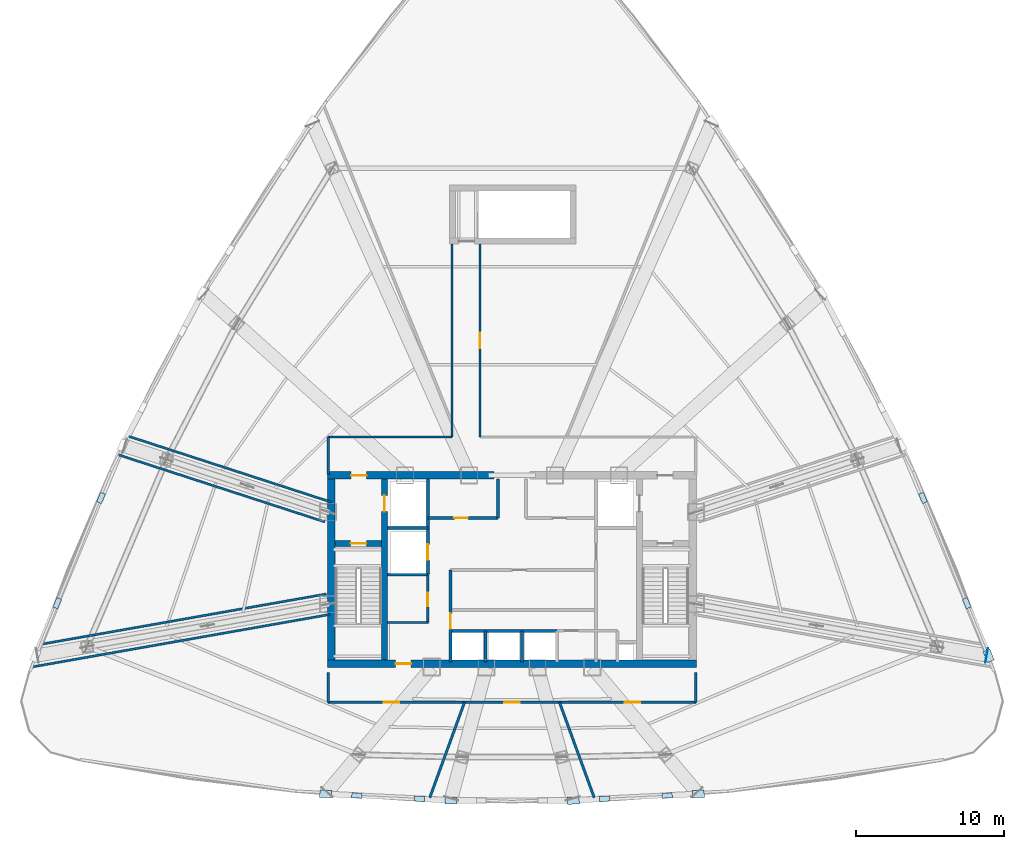
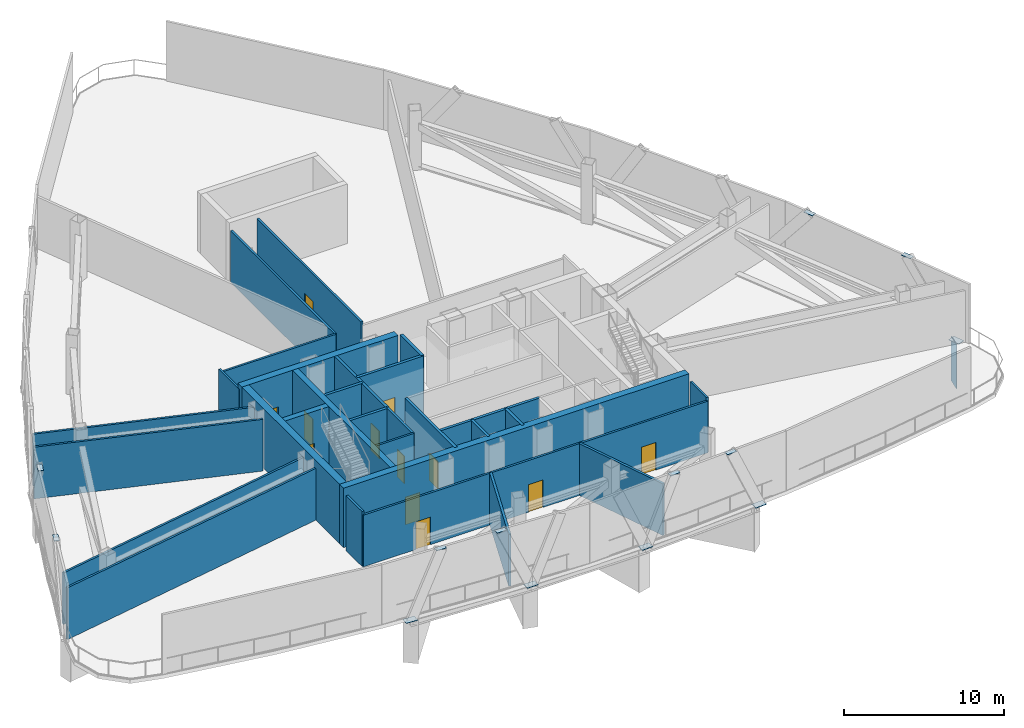
# One storey, part 8 of 13: 29 walls, 14 plates, 12 doors, 12 openings.
"""IFC4 building model written with IfcOpenShell, lengths in metres."""

from ifc_helpers import new_model, si_unit, direction, frame, frame_2d, origin, origin_with_axes, origin_2d, place, context, subcontext, project, spatial, rectangle, extrude, source, transform, mapped, material, layer, layer_set, type_object, element, fill, save


model = new_model("IFC4")

# Units and contexts
model_context = context("Model", 3, precision=1e-05, world=origin(), true_north=direction((0.0, 1.0)))
body_context = subcontext(model_context, "Body", "Model", "MODEL_VIEW")
ifc_project = project(units=[si_unit("LENGTHUNIT", "METRE"), si_unit("AREAUNIT", "SQUARE_METRE"), si_unit("VOLUMEUNIT", "CUBIC_METRE"), si_unit("PLANEANGLEUNIT", "RADIAN"), si_unit("MASSUNIT", "GRAM", prefix="KILO"), si_unit("THERMODYNAMICTEMPERATUREUNIT", "KELVIN"), si_unit("POWERUNIT", "WATT")], contexts=[model_context])

# Site, building, storey
site_placement = place(None, origin())
site = spatial("IfcSite", under=ifc_project, at=site_placement, CompositionType="ELEMENT")
building_placement = place(site_placement, origin())
building = spatial("IfcBuilding", under=site, at=building_placement, Name="Yunzhuo Pagoda Commons", CompositionType="ELEMENT")
storey_placement = place(building_placement, frame((0.0, 0.0, 272.760009765625)))
storey = spatial("IfcBuildingStorey", under=building, at=storey_placement, Name="L68", CompositionType="ELEMENT", Elevation=272.760009765625)

# Plates
ifc_material_1 = material(Name="Structural steel Q420B", Category="steel")
ifc_layer_1 = layer(ifc_material_1, 0.0400390625)
ifc_layer_set_1 = layer_set([ifc_layer_1], Name="Structural steel Q420B")
plate_type_1 = type_object("IfcPlateType", Name="EP-TR2 Transfer Girder End Cap Plate 980x3540x40", PredefinedType="USERDEFINED", material=ifc_layer_set_1)
shared_shape_1 = source(origin(), body_context, "Body", "SweptSolid", [
    extrude(rectangle(XDim=0.97998046875, YDim=0.0400390625, at=origin_2d()), origin(), (0.0, 0.0, 1.0), 3.389892578125),
])
plate_placement = place(storey_placement, frame((80.01513671875, 28.054931640625, -3.64990234375), z_axis=(0.0, 0.0, 1.0), x_axis=(0.173648177667, 0.984807753012, 0.0)))
element("IfcPlate", 1, at=plate_placement, inside=storey, type_object=plate_type_1, Name="L68 transfer girder end cap plate F2C1", ObjectType="END_PLATE", PredefinedType="USERDEFINED", context=body_context, shape_type="MappedRepresentation", body=[
    mapped(shared_shape_1, transform((0.0, 0.0, 0.0), scale=1.0)),
])
ifc_material_2 = material(Name="Structural steel Q355B", Category="steel")
ifc_layer_2 = layer(ifc_material_2, 0.028076171875)
ifc_layer_set_2 = layer_set([ifc_layer_2], Name="Structural steel Q355B")
plate_type_2 = type_object("IfcPlateType", Name="SP-ND1 Lattice Node Cap Plate 800x500x28", PredefinedType="USERDEFINED", material=ifc_layer_set_2)
shared_shape_2 = source(origin(), body_context, "Body", "SweptSolid", [
    extrude(rectangle(XDim=0.800048828125, YDim=0.5, at=origin_2d()), origin(), (0.0, 0.0, 1.0), 0.028076171875),
])
for number, where, z_axis, x_axis, name in (
    (2, (35.431396484375, 18.72119140625, -0.2939453125), (0.0, 0.0, 1.0), (0.998603839336, -0.052823972429, 0.0), "L68 diamond node plate F1.1A"),
    (3, (43.866943359375, 18.275146484375, -0.2939453125), (0.0, 0.0, 1.0), (1.0, 0.0, 0.0), "L68 diamond node plate F1.2A"),
    (4, (52.133056640625, 18.275146484375, -0.2939453125), (0.0, 0.0, 1.0), (0.998603839336, 0.052823972429, 0.0), "L68 diamond node plate F1.3A"),
    (5, (60.568603515625, 18.72119140625, -0.2939453125), (0.0, 0.0, 1.0), (0.998603839336, 0.052823972429, 0.0), "L68 diamond node plate F1.3B"),
    (6, (80.150146484375, 28.031005859375, -0.2939453125), (0.0, 0.0, 1.0), (-0.383860227441, 0.923391209504, 0.0), "L68 diamond node plate F2.1A"),
):
    element("IfcPlate", number, at=place(storey_placement, frame(where, z_axis=z_axis, x_axis=x_axis)), inside=storey, type_object=plate_type_2, Name=name, ObjectType="STIFFENER_PLATE", PredefinedType="USERDEFINED", context=body_context, shape_type="MappedRepresentation", body=[
        mapped(shared_shape_2, transform((0.0, 0.0, 0.0), scale=1.0)),
    ])
shared_shape_3 = source(origin(), body_context, "Body", "SweptSolid", [
    extrude(rectangle(XDim=0.699951171875, YDim=0.35009765625, at=origin_2d()), origin(), (0.0, 0.0, 1.0), 0.035888671875),
])
for number, where, z_axis, x_axis, name in (
    (7, (37.540283203125, 18.609619140625, 4.501953125), (0.0, 0.0, 1.0), (0.998603839336, -0.052823972429, 0.0), "L68 setback lattice tie plate F1.1L"),
    (8, (41.758056640625, 18.38671875, 4.501953125), (0.0, 0.0, 1.0), (0.998603839336, -0.052823972429, 0.0), "L68 setback lattice tie plate F1.1R"),
    (9, (54.241943359375, 18.38671875, 4.501953125), (0.0, 0.0, 1.0), (0.998603839336, 0.052823972429, 0.0), "L68 setback lattice tie plate F1.3L"),
    (10, (58.459716796875, 18.609619140625, 4.501953125), (0.0, 0.0, 1.0), (0.998603839336, 0.052823972429, 0.0), "L68 setback lattice tie plate F1.3R"),
    (11, (78.6748046875, 31.58056640625, 4.501953125), (0.0, 0.0, 1.0), (-0.383860227441, 0.923391209504, 0.0), "L68 setback lattice tie plate F2.1L"),
    (12, (75.723876953125, 38.67919921875, 4.501953125), (0.0, 0.0, 1.0), (-0.383860227441, 0.923391209504, 0.0), "L68 setback lattice tie plate F2.1R"),
    (13, (20.276123046875, 38.67919921875, 4.501953125), (0.0, 0.0, 1.0), (-0.383860227441, -0.923391209504, 0.0), "L68 setback lattice tie plate F3.3L"),
    (14, (17.3251953125, 31.58056640625, 4.501953125), (0.0, 0.0, 1.0), (-0.383860227441, -0.923391209504, 0.0), "L68 setback lattice tie plate F3.3R"),
):
    element("IfcPlate", number, at=place(storey_placement, frame(where, z_axis=z_axis, x_axis=x_axis)), inside=storey, type_object=plate_type_2, Name=name, ObjectType="STIFFENER_PLATE", PredefinedType="USERDEFINED", context=body_context, shape_type="MappedRepresentation", body=[
        mapped(shared_shape_3, transform((0.0, 0.0, 0.0), scale=1.0)),
    ])

# Wall, opening, door
ifc_material_3 = material(Name="Concrete C50", Category="concrete")
ifc_layer_3 = layer(ifc_material_3, 0.5)
ifc_layer_set_3 = layer_set([ifc_layer_3], Name="Concrete C50")
wall_type_1 = type_object("IfcWallType", Name="W-C03 Upper Core Shear Wall 500", PredefinedType="SHEAR", material=ifc_layer_set_3)
wall_1_placement = place(storey_placement, frame((35.550048828125, 27.5, 0.0), z_axis=(0.0, 0.0, 1.0), x_axis=(1.0, 0.0, 0.0)))
wall_1 = element("IfcWall", 15, at=wall_1_placement, inside=storey, type_object=wall_type_1, Name="L68 core shear wall S", PredefinedType="SHEAR", context=body_context, shape_type="SweptSolid", body=[
    extrude(rectangle(XDim=24.89990234375, YDim=0.5, at=frame_2d((12.449951171875, 0.0))), origin(), (0.0, 0.0, 1.0), 4.5400390625),
])
opening_1_placement = place(wall_1_placement, frame((4.60009765625, 0.0, 0.0)))
opening_1 = element("IfcOpeningElement", 16, at=opening_1_placement, cuts=wall_1, Name="Opening D-02", PredefinedType="OPENING", context=body_context, shape_type="SweptSolid", body=[
    extrude(rectangle(XDim=1.050048828125, YDim=2.10009765625, at=frame_2d((0.52490234375, 1.050048828125))), frame((0.0, 0.260009765625, 0.0), z_axis=(0.0, -1.0, 0.0), x_axis=(1.0, 0.0, 0.0)), (0.0, 0.0, 1.0), 0.52001953125),
])
ifc_material_4 = material(Name="Galvanized fire-resisting metal leaf")
door_type_1 = type_object("IfcDoorType", Name="D-02 Firefighting Lobby & Refuge Fire Door 1050x2100", OperationType="NOTDEFINED", PredefinedType="DOOR", material=ifc_material_4)
shared_shape_4 = source(origin(), body_context, "Body", "SweptSolid", [
    extrude(rectangle(XDim=1.050048828125, YDim=2.10009765625, at=frame_2d((0.52490234375, 1.050048828125))), frame((0.0, 0.02490234375, 0.0), z_axis=(0.0, -1.0, 0.0), x_axis=(1.0, 0.0, 0.0)), (0.0, 0.0, 1.0), 0.050048828125),
])
door_1_placement = place(opening_1_placement, frame((1.050048828125, 0.0, 0.0), z_axis=(0.0, 0.0, 1.0), x_axis=(-1.0, 0.0, 0.0)))
door_1 = element("IfcDoor", 17, at=door_1_placement, inside=storey, type_object=door_type_1, Name="L68 core south refuge lobby fire door", OperationType="SINGLE_SWING_LEFT", OverallHeight=2.10009765625, OverallWidth=1.050048828125, PredefinedType="DOOR", context=body_context, shape_type="MappedRepresentation", body=[
    mapped(shared_shape_4, transform((0.0, 0.0, 0.0), scale=1.0)),
])
fill(opening_1, door_1)

wall_2_placement = place(storey_placement, frame((35.550048828125, 40.199951171875, 0.0), z_axis=(0.0, 0.0, 1.0), x_axis=(1.0, 0.0, 0.0)))
wall_2 = element("IfcWall", 18, at=wall_2_placement, inside=storey, type_object=wall_type_1, Name="L68 core shear wall NW", PredefinedType="SHEAR", context=body_context, shape_type="SweptSolid", body=[
    extrude(rectangle(XDim=11.25, YDim=0.5, at=frame_2d((5.625, 0.0))), origin(), (0.0, 0.0, 1.0), 4.5400390625),
])
opening_2_placement = place(wall_2_placement, frame((1.60009765625, 0.0, 0.0)))
opening_2 = element("IfcOpeningElement", 19, at=opening_2_placement, cuts=wall_2, Name="Opening D-02", PredefinedType="OPENING", context=body_context, shape_type="SweptSolid", body=[
    extrude(rectangle(XDim=1.050048828125, YDim=2.10009765625, at=frame_2d((0.52490234375, 1.050048828125))), frame((0.0, 0.260009765625, 0.0), z_axis=(0.0, -1.0, 0.0), x_axis=(1.0, 0.0, 0.0)), (0.0, 0.0, 1.0), 0.52001953125),
])
door_2_placement = place(opening_2_placement, frame((1.050048828125, 0.0, 0.0), z_axis=(0.0, 0.0, 1.0), x_axis=(-1.0, 0.0, 0.0)))
door_2 = element("IfcDoor", 20, at=door_2_placement, inside=storey, type_object=door_type_1, Name="L68 Firefighting Lobby 1 fire door", OperationType="SINGLE_SWING_LEFT", OverallHeight=2.10009765625, OverallWidth=1.050048828125, PredefinedType="DOOR", context=body_context, shape_type="MappedRepresentation", body=[
    mapped(shared_shape_4, transform((0.0, 0.0, 0.0), scale=1.0)),
])
fill(opening_2, door_2)

# Walls
wall_3_placement = place(storey_placement, frame((35.800048828125, 27.75, 0.0), z_axis=(0.0, 0.0, 1.0), x_axis=(0.0, 1.0, 0.0)))
element("IfcWall", 21, at=wall_3_placement, inside=storey, type_object=wall_type_1, Name="L68 core shear wall W", PredefinedType="SHEAR", context=body_context, shape_type="SweptSolid", body=[
    extrude(rectangle(XDim=12.199951171875, YDim=0.5, at=frame_2d((6.10009765625, 0.0))), origin(), (0.0, 0.0, 1.0), 4.5400390625),
])
ifc_material_5 = material(Name="Gypsum plasterboard on acoustic stud")
ifc_layer_4 = layer(ifc_material_5, 0.14990234375)
ifc_layer_set_4 = layer_set([ifc_layer_4], Name="Gypsum plasterboard on acoustic stud")
wall_type_2 = type_object("IfcWallType", Name="W-COR3 High-Zone Rated Corridor Wall 150", PredefinedType="PARTITIONING", material=ifc_layer_set_4)
wall_4_placement = place(storey_placement, frame((39.60009765625, 30.280029296875, 0.0), z_axis=(0.0, 0.0, 1.0), x_axis=(1.0, 0.0, 0.0)))
element("IfcWall", 22, at=wall_4_placement, inside=storey, type_object=wall_type_2, Name="L68 interior wall IW-L68-LLOBSN", PredefinedType="PARTITIONING", context=body_context, shape_type="SweptSolid", body=[
    extrude(rectangle(XDim=2.719970703125, YDim=0.14990234375, at=frame_2d((1.35986328125, 0.0))), origin(), (0.0, 0.0, 1.0), 4.5400390625),
])

# Wall, opening, door
wall_5_placement = place(storey_placement, frame((42.320068359375, 30.280029296875, 0.0), z_axis=(0.0, 0.0, 1.0), x_axis=(0.0, 1.0, 0.0)))
wall_5 = element("IfcWall", 23, at=wall_5_placement, inside=storey, type_object=wall_type_2, Name="L68 interior wall IW-L68-CSWE", PredefinedType="PARTITIONING", context=body_context, shape_type="SweptSolid", body=[
    extrude(rectangle(XDim=3.219970703125, YDim=0.14990234375, at=frame_2d((1.60986328125, 0.0))), origin(), (0.0, 0.0, 1.0), 4.5400390625),
])
opening_3_placement = place(wall_5_placement, frame((1.10009765625, 0.0, 0.0)))
opening_3 = element("IfcOpeningElement", 24, at=opening_3_placement, cuts=wall_5, Name="Opening D-03", PredefinedType="OPENING", context=body_context, shape_type="SweptSolid", body=[
    extrude(rectangle(XDim=0.89990234375, YDim=2.10009765625, at=frame_2d((0.449951171875, 1.050048828125))), frame((0.0, 0.0849609375, 0.0), z_axis=(0.0, -1.0, 0.0), x_axis=(1.0, 0.0, 0.0)), (0.0, 0.0, 1.0), 0.169921875),
])
door_type_2 = type_object("IfcDoorType", Name="D-03 Core Service Fire Door 900x2100", OperationType="NOTDEFINED", PredefinedType="DOOR", material=ifc_material_4)
shared_shape_5 = source(origin(), body_context, "Body", "SweptSolid", [
    extrude(rectangle(XDim=0.89990234375, YDim=2.10009765625, at=frame_2d((0.449951171875, 1.050048828125))), frame((0.0, 0.02490234375, 0.0), z_axis=(0.0, -1.0, 0.0), x_axis=(1.0, 0.0, 0.0)), (0.0, 0.0, 1.0), 0.050048828125),
])
door_3_placement = place(opening_3_placement, origin_with_axes())
door_3 = element("IfcDoor", 25, at=door_3_placement, inside=storey, type_object=door_type_2, Name="L68 core closet door", OperationType="SINGLE_SWING_LEFT", OverallHeight=2.10009765625, OverallWidth=0.89990234375, PredefinedType="DOOR", context=body_context, shape_type="MappedRepresentation", body=[
    mapped(shared_shape_5, transform((0.0, 0.0, 0.0), scale=1.0)),
])
fill(opening_3, door_3)

# Walls
wall_6_placement = place(storey_placement, frame((35.81640625, 38.394775390625, 0.0), z_axis=(0.0, 0.0, 1.0), x_axis=(-0.951057405092, 0.309014258927, 0.0)))
element("IfcWall", 26, at=wall_6_placement, inside=storey, type_object=wall_type_2, Name="L68 interior wall IW-L68-OTW05", PredefinedType="PARTITIONING", context=body_context, shape_type="SweptSolid", body=[
    extrude(rectangle(XDim=14.375244140625, YDim=0.14990234375, at=frame_2d((7.1875, 0.0))), origin(), (0.0, 0.0, 1.0), 3.93994140625),
])
wall_7_placement = place(storey_placement, frame((35.3837890625, 37.063232421875, 0.0), z_axis=(0.0, 0.0, 1.0), x_axis=(-0.951059119768, 0.309008981593, 0.0)))
element("IfcWall", 27, at=wall_7_placement, inside=storey, type_object=wall_type_2, Name="L68 interior wall IW-L68-OTW06", PredefinedType="PARTITIONING", context=body_context, shape_type="SweptSolid", body=[
    extrude(rectangle(XDim=14.6083984375, YDim=0.14990234375, at=frame_2d((7.30419921875, 0.0))), origin(), (0.0, 0.0, 1.0), 3.93994140625),
])
wall_8_placement = place(storey_placement, frame((35.478515625, 32.202880859375, 0.0), z_axis=(0.0, 0.0, 1.0), x_axis=(-0.984807439985, -0.173649952923, 0.0)))
element("IfcWall", 28, at=wall_8_placement, inside=storey, type_object=wall_type_2, Name="L68 interior wall IW-L68-OTW07", PredefinedType="PARTITIONING", context=body_context, shape_type="SweptSolid", body=[
    extrude(rectangle(XDim=19.546630859375, YDim=0.14990234375, at=frame_2d((9.7734375, 0.0))), origin(), (0.0, 0.0, 1.0), 3.93994140625),
])
wall_9_placement = place(storey_placement, frame((35.7216796875, 30.82421875, 0.0), z_axis=(0.0, 0.0, 1.0), x_axis=(-0.984809067339, -0.173640723585, 0.0)))
element("IfcWall", 29, at=wall_9_placement, inside=storey, type_object=wall_type_2, Name="L68 interior wall IW-L68-OTW08", PredefinedType="PARTITIONING", context=body_context, shape_type="SweptSolid", body=[
    extrude(rectangle(XDim=20.41796875, YDim=0.14990234375, at=frame_2d((10.208984375, 0.0))), origin(), (0.0, 0.0, 1.0), 3.93994140625),
])
wall_10_placement = place(storey_placement, frame((35.60009765625, 40.25, 0.0), z_axis=(0.0, 0.0, 1.0), x_axis=(0.0, 1.0, 0.0)))
element("IfcWall", 30, at=wall_10_placement, inside=storey, type_object=wall_type_2, Name="L68 interior wall IW-L68-SCW01", PredefinedType="PARTITIONING", context=body_context, shape_type="SweptSolid", body=[
    extrude(rectangle(XDim=2.550048828125, YDim=0.14990234375, at=frame_2d((1.27490234375, 0.0))), origin(), (0.0, 0.0, 1.0), 4.18994140625),
])
wall_11_placement = place(storey_placement, frame((35.60009765625, 42.800048828125, 0.0), z_axis=(0.0, 0.0, 1.0), x_axis=(1.0, 0.0, 0.0)))
element("IfcWall", 31, at=wall_11_placement, inside=storey, type_object=wall_type_2, Name="L68 interior wall IW-L68-SCW02", PredefinedType="PARTITIONING", context=body_context, shape_type="SweptSolid", body=[
    extrude(rectangle(XDim=8.349853515625, YDim=0.14990234375, at=frame_2d((4.1748046875, 0.0))), origin(), (0.0, 0.0, 1.0), 3.93994140625),
])
wall_12_placement = place(storey_placement, frame((43.949951171875, 42.800048828125, 0.0), z_axis=(0.0, 0.0, 1.0), x_axis=(0.0, 1.0, 0.0)))
element("IfcWall", 32, at=wall_12_placement, inside=storey, type_object=wall_type_2, Name="L68 interior wall IW-L68-SCW03", PredefinedType="PARTITIONING", context=body_context, shape_type="SweptSolid", body=[
    extrude(rectangle(XDim=13.0, YDim=0.14990234375, at=frame_2d((6.5, 0.0))), origin(), (0.0, 0.0, 1.0), 3.93994140625),
])

# Wall, opening, door
wall_13_placement = place(storey_placement, frame((45.85009765625, 55.800048828125, 0.0), z_axis=(0.0, 0.0, 1.0), x_axis=(0.0, -1.0, 0.0)))
wall_13 = element("IfcWall", 33, at=wall_13_placement, inside=storey, type_object=wall_type_2, Name="L68 interior wall IW-L68-SCW04", PredefinedType="PARTITIONING", context=body_context, shape_type="SweptSolid", body=[
    extrude(rectangle(XDim=13.0, YDim=0.14990234375, at=frame_2d((6.5, 0.0))), origin(), (0.0, 0.0, 1.0), 4.18994140625),
])
opening_4_placement = place(wall_13_placement, frame((5.97509765625, 0.0, 0.0)))
opening_4 = element("IfcOpeningElement", 34, at=opening_4_placement, cuts=wall_13, Name="Opening D-02", PredefinedType="OPENING", context=body_context, shape_type="SweptSolid", body=[
    extrude(rectangle(XDim=1.050048828125, YDim=2.10009765625, at=frame_2d((0.52490234375, 1.050048828125))), frame((0.0, 0.0849609375, 0.0), z_axis=(0.0, -1.0, 0.0), x_axis=(1.0, 0.0, 0.0)), (0.0, 0.0, 1.0), 0.169921875),
])
door_4_placement = place(opening_4_placement, origin_with_axes())
door_4 = element("IfcDoor", 35, at=door_4_placement, inside=storey, type_object=door_type_1, Name="L68 North Refuge Area door", OperationType="SINGLE_SWING_RIGHT", OverallHeight=2.10009765625, OverallWidth=1.050048828125, PredefinedType="DOOR", context=body_context, shape_type="MappedRepresentation", body=[
    mapped(shared_shape_4, transform((0.0, 0.0, 0.0), scale=1.0)),
])
fill(opening_4, door_4)

# Wall
wall_14_placement = place(storey_placement, frame((60.39990234375, 26.89990234375, 0.0), z_axis=(0.0, 0.0, 1.0), x_axis=(0.0, -1.0, 0.0)))
element("IfcWall", 36, at=wall_14_placement, inside=storey, type_object=wall_type_2, Name="L68 interior wall IW-L68-SCW07", PredefinedType="PARTITIONING", context=body_context, shape_type="SweptSolid", body=[
    extrude(rectangle(XDim=2.0, YDim=0.14990234375, at=frame_2d((1.0, 0.0))), origin(), (0.0, 0.0, 1.0), 4.18994140625),
])

# Wall, openings, doors
wall_15_placement = place(storey_placement, frame((60.39990234375, 24.89990234375, 0.0), z_axis=(0.0, 0.0, 1.0), x_axis=(-1.0, 0.0, 0.0)))
wall_15 = element("IfcWall", 37, at=wall_15_placement, inside=storey, type_object=wall_type_2, Name="L68 interior wall IW-L68-SCW08", PredefinedType="PARTITIONING", context=body_context, shape_type="SweptSolid", body=[
    extrude(rectangle(XDim=24.7998046875, YDim=0.14990234375, at=frame_2d((12.39990234375, 0.0))), origin(), (0.0, 0.0, 1.0), 3.93994140625),
])
opening_5_placement = place(wall_15_placement, frame((3.74853515625, 0.0, 0.0)))
opening_5 = element("IfcOpeningElement", 38, at=opening_5_placement, cuts=wall_15, Name="Opening D-02", PredefinedType="OPENING", context=body_context, shape_type="SweptSolid", body=[
    extrude(rectangle(XDim=1.050048828125, YDim=2.10009765625, at=frame_2d((0.52490234375, 1.050048828125))), frame((0.0, 0.0849609375, 0.0), z_axis=(0.0, -1.0, 0.0), x_axis=(1.0, 0.0, 0.0)), (0.0, 0.0, 1.0), 0.169921875),
])
opening_6_placement = place(wall_15_placement, frame((20.00146484375, 0.0, 0.0)))
opening_6 = element("IfcOpeningElement", 39, at=opening_6_placement, cuts=wall_15, Name="Opening D-02", PredefinedType="OPENING", context=body_context, shape_type="SweptSolid", body=[
    extrude(rectangle(XDim=1.050048828125, YDim=2.10009765625, at=frame_2d((0.52490234375, 1.050048828125))), frame((0.0, 0.0849609375, 0.0), z_axis=(0.0, -1.0, 0.0), x_axis=(1.0, 0.0, 0.0)), (0.0, 0.0, 1.0), 0.169921875),
])
opening_7_placement = place(wall_15_placement, frame((11.875, 0.0, 0.0)))
opening_7 = element("IfcOpeningElement", 40, at=opening_7_placement, cuts=wall_15, Name="Opening D-02", PredefinedType="OPENING", context=body_context, shape_type="SweptSolid", body=[
    extrude(rectangle(XDim=1.050048828125, YDim=2.10009765625, at=frame_2d((0.52490234375, 1.050048828125))), frame((0.0, 0.0849609375, 0.0), z_axis=(0.0, -1.0, 0.0), x_axis=(1.0, 0.0, 0.0)), (0.0, 0.0, 1.0), 0.169921875),
])
door_5_placement = place(opening_5_placement, origin_with_axes())
door_5 = element("IfcDoor", 41, at=door_5_placement, inside=storey, type_object=door_type_1, Name="L68 Water Break Tank Plant Room door", OperationType="SINGLE_SWING_LEFT", OverallHeight=2.10009765625, OverallWidth=1.050048828125, PredefinedType="DOOR", context=body_context, shape_type="MappedRepresentation", body=[
    mapped(shared_shape_4, transform((0.0, 0.0, 0.0), scale=1.0)),
])
fill(opening_5, door_5)
door_6_placement = place(opening_6_placement, origin_with_axes())
door_6 = element("IfcDoor", 42, at=door_6_placement, inside=storey, type_object=door_type_1, Name="L68 Air Handling Plant Room door", OperationType="SINGLE_SWING_LEFT", OverallHeight=2.10009765625, OverallWidth=1.050048828125, PredefinedType="DOOR", context=body_context, shape_type="MappedRepresentation", body=[
    mapped(shared_shape_4, transform((0.0, 0.0, 0.0), scale=1.0)),
])
fill(opening_6, door_6)
door_7_placement = place(opening_7_placement, origin_with_axes())
door_7 = element("IfcDoor", 43, at=door_7_placement, inside=storey, type_object=door_type_1, Name="L68 South Refuge Area door", OperationType="SINGLE_SWING_RIGHT", OverallHeight=2.10009765625, OverallWidth=1.050048828125, PredefinedType="DOOR", context=body_context, shape_type="MappedRepresentation", body=[
    mapped(shared_shape_4, transform((0.0, 0.0, 0.0), scale=1.0)),
])
fill(opening_7, door_7)

# Walls
wall_16_placement = place(storey_placement, frame((35.60009765625, 24.89990234375, 0.0), z_axis=(0.0, 0.0, 1.0), x_axis=(0.0, 1.0, 0.0)))
element("IfcWall", 44, at=wall_16_placement, inside=storey, type_object=wall_type_2, Name="L68 interior wall IW-L68-SCW09", PredefinedType="PARTITIONING", context=body_context, shape_type="SweptSolid", body=[
    extrude(rectangle(XDim=2.0, YDim=0.14990234375, at=frame_2d((1.0, 0.0))), origin(), (0.0, 0.0, 1.0), 4.18994140625),
])
ifc_layer_5 = layer(ifc_material_5, 0.169921875)
ifc_layer_set_5 = layer_set([ifc_layer_5], Name="Gypsum plasterboard on acoustic stud")
wall_type_3 = type_object("IfcWallType", Name="W-PRT4 High-Zone Demising Wall 170", PredefinedType="PARTITIONING", material=ifc_layer_set_5)
for number, where, z_axis, x_axis, name in (
    (45, (44.797119140625, 24.89990234375, 0.0), (0.0, 0.0, 1.0), (-0.342023678926, -0.939691333925, 0.0), "L68 interior wall IW-L68-SRAD3"),
    (46, (51.202880859375, 24.89990234375, 0.0), (0.0, 0.0, 1.0), (0.342023678926, -0.939691333925, 0.0), "L68 interior wall IW-L68-SRAD4"),
):
    element("IfcWall", number, at=place(storey_placement, frame(where, z_axis=z_axis, x_axis=x_axis)), inside=storey, type_object=wall_type_3, Name=name, PredefinedType="PARTITIONING", context=body_context, shape_type="SweptSolid", body=[
        extrude(rectangle(XDim=6.845458984375, YDim=0.169921875, at=frame_2d((3.4228515625, 0.0))), origin(), (0.0, 0.0, 1.0), 3.93994140625),
    ])

# Wall, opening, door
ifc_material_6 = material(Name="Concrete C60", Category="concrete")
ifc_layer_6 = layer(ifc_material_6, 0.39990234375)
ifc_layer_set_6 = layer_set([ifc_layer_6], Name="Concrete C60")
wall_type_4 = type_object("IfcWallType", Name="W-S01 Internal Core Shear Web 400", PredefinedType="SHEAR", material=ifc_layer_set_6)
wall_17_placement = place(storey_placement, frame((39.39990234375, 27.75, 0.0), z_axis=(0.0, 0.0, 1.0), x_axis=(0.0, 1.0, 0.0)))
wall_17 = element("IfcWall", 47, at=wall_17_placement, inside=storey, type_object=wall_type_4, Name="L68 core shear wall WEBW", PredefinedType="SHEAR", context=body_context, shape_type="SweptSolid", body=[
    extrude(rectangle(XDim=12.199951171875, YDim=0.39990234375, at=frame_2d((6.10009765625, 0.0))), origin(), (0.0, 0.0, 1.0), 4.5400390625),
])
opening_8_placement = place(wall_17_placement, frame((10.0, 0.0, 0.0)))
opening_8 = element("IfcOpeningElement", 48, at=opening_8_placement, cuts=wall_17, Name="Opening LD-01", PredefinedType="OPENING", context=body_context, shape_type="SweptSolid", body=[
    extrude(rectangle(XDim=1.10009765625, YDim=2.10009765625, at=frame_2d((0.550048828125, 1.050048828125))), frame((0.0, 0.2099609375, 0.0), z_axis=(0.0, -1.0, 0.0), x_axis=(1.0, 0.0, 0.0)), (0.0, 0.0, 1.0), 0.419921875),
])
door_type_3 = type_object("IfcDoorType", Name="LD-01 Firefighting Lift Landing Door 1100x2100", OperationType="DOUBLE_DOOR_SLIDING", PredefinedType="DOOR", material=ifc_material_4)
shared_shape_6 = source(origin(), body_context, "Body", "SweptSolid", [
    extrude(rectangle(XDim=1.10009765625, YDim=2.10009765625, at=frame_2d((0.550048828125, 1.050048828125))), frame((0.0, 0.02490234375, 0.0), z_axis=(0.0, -1.0, 0.0), x_axis=(1.0, 0.0, 0.0)), (0.0, 0.0, 1.0), 0.050048828125),
])
door_8_placement = place(opening_8_placement, frame((1.10009765625, 0.0, 0.0), z_axis=(0.0, 0.0, 1.0), x_axis=(-1.0, 0.0, 0.0)))
door_8 = element("IfcDoor", 49, at=door_8_placement, inside=storey, type_object=door_type_3, Name="L68 Firefighting lift FL-1 landing door", OperationType="DOUBLE_DOOR_SLIDING", OverallHeight=2.10009765625, OverallWidth=1.10009765625, PredefinedType="DOOR", context=body_context, shape_type="MappedRepresentation", body=[
    mapped(shared_shape_6, transform((0.0, 0.0, 0.0), scale=1.0)),
])
fill(opening_8, door_8)

wall_18_placement = place(storey_placement, frame((36.050048828125, 35.60009765625, 0.0), z_axis=(0.0, 0.0, 1.0), x_axis=(1.0, 0.0, 0.0)))
wall_18 = element("IfcWall", 50, at=wall_18_placement, inside=storey, type_object=wall_type_4, Name="L68 core shear wall STW", PredefinedType="SHEAR", context=body_context, shape_type="SweptSolid", body=[
    extrude(rectangle(XDim=3.14990234375, YDim=0.39990234375, at=frame_2d((1.574951171875, 0.0))), origin(), (0.0, 0.0, 1.0), 4.5400390625),
])
opening_9_placement = place(wall_18_placement, frame((1.070068359375, 0.0, 0.0)))
opening_9 = element("IfcOpeningElement", 51, at=opening_9_placement, cuts=wall_18, Name="Opening D-01", PredefinedType="OPENING", context=body_context, shape_type="SweptSolid", body=[
    extrude(rectangle(XDim=1.050048828125, YDim=2.10009765625, at=frame_2d((0.52490234375, 1.050048828125))), frame((0.0, 0.2099609375, 0.0), z_axis=(0.0, -1.0, 0.0), x_axis=(1.0, 0.0, 0.0)), (0.0, 0.0, 1.0), 0.419921875),
])
door_type_4 = type_object("IfcDoorType", Name="D-01 Smokeproof Stair Fire Door 1050x2100", OperationType="NOTDEFINED", PredefinedType="DOOR", material=ifc_material_4)
door_9_placement = place(opening_9_placement, frame((1.050048828125, 0.0, 0.0), z_axis=(0.0, 0.0, 1.0), x_axis=(-1.0, 0.0, 0.0)))
door_9 = element("IfcDoor", 52, at=door_9_placement, inside=storey, type_object=door_type_4, Name="L68 Stair ST1 fire door", OperationType="SINGLE_SWING_LEFT", OverallHeight=2.10009765625, OverallWidth=1.050048828125, PredefinedType="DOOR", context=body_context, shape_type="MappedRepresentation", body=[
    mapped(shared_shape_4, transform((0.0, 0.0, 0.0), scale=1.0)),
])
fill(opening_9, door_9)

ifc_material_7 = material(Name="Concrete C40", Category="concrete")
ifc_layer_7 = layer(ifc_material_7, 0.199951171875)
ifc_layer_set_7 = layer_set([ifc_layer_7], Name="Concrete C40")
wall_type_5 = type_object("IfcWallType", Name="W-SHF Shaft & Stair Enclosure Wall 200", PredefinedType="SOLIDWALL", material=ifc_layer_set_7)
wall_19_placement = place(storey_placement, frame((42.320068359375, 33.5, 0.0), z_axis=(0.0, 0.0, 1.0), x_axis=(0.0, 1.0, 0.0)))
wall_19 = element("IfcWall", 53, at=wall_19_placement, inside=storey, type_object=wall_type_5, Name="L68 interior wall IW-L68-FL1E", PredefinedType="SOLIDWALL", context=body_context, shape_type="SweptSolid", body=[
    extrude(rectangle(XDim=6.449951171875, YDim=0.199951171875, at=frame_2d((3.22509765625, 0.0))), origin(), (0.0, 0.0, 1.0), 4.5400390625),
])
opening_10_placement = place(wall_19_placement, frame((1.0, 0.0, 0.0)))
opening_10 = element("IfcOpeningElement", 54, at=opening_10_placement, cuts=wall_19, Name="Opening LD-02", PredefinedType="OPENING", context=body_context, shape_type="SweptSolid", body=[
    extrude(rectangle(XDim=1.050048828125, YDim=2.10009765625, at=frame_2d((0.52490234375, 1.050048828125))), frame((0.0, 0.10986328125, 0.0), z_axis=(0.0, -1.0, 0.0), x_axis=(1.0, 0.0, 0.0)), (0.0, 0.0, 1.0), 0.219970703125),
])
door_type_5 = type_object("IfcDoorType", Name="LD-02 Passenger Lift Landing Door 1050x2100", OperationType="DOUBLE_DOOR_SLIDING", PredefinedType="DOOR", material=ifc_material_4)
door_10_placement = place(opening_10_placement, origin_with_axes())
door_10 = element("IfcDoor", 55, at=door_10_placement, inside=storey, type_object=door_type_5, Name="L68 Service lift SL-1 landing door", OperationType="DOUBLE_DOOR_SLIDING", OverallHeight=2.10009765625, OverallWidth=1.050048828125, PredefinedType="DOOR", context=body_context, shape_type="MappedRepresentation", body=[
    mapped(shared_shape_4, transform((0.0, 0.0, 0.0), scale=1.0)),
])
fill(opening_10, door_10)

# Walls
for number, where, z_axis, x_axis, name in (
    (56, (39.60009765625, 36.64990234375, 0.0), (0.0, 0.0, 1.0), (1.0, 0.0, 0.0), "L68 interior wall IW-L68-FL1S"),
    (57, (39.60009765625, 33.5, 0.0), (0.0, 0.0, 1.0), (1.0, 0.0, 0.0), "L68 interior wall IW-L68-SL1S"),
):
    element("IfcWall", number, at=place(storey_placement, frame(where, z_axis=z_axis, x_axis=x_axis)), inside=storey, type_object=wall_type_5, Name=name, PredefinedType="SOLIDWALL", context=body_context, shape_type="SweptSolid", body=[
        extrude(rectangle(XDim=2.719970703125, YDim=0.199951171875, at=frame_2d((1.35986328125, 0.0))), origin(), (0.0, 0.0, 1.0), 4.5400390625),
    ])

# Wall, opening, door
wall_20_placement = place(storey_placement, frame((42.320068359375, 37.320068359375, 0.0), z_axis=(0.0, 0.0, 1.0), x_axis=(1.0, 0.0, 0.0)))
wall_20 = element("IfcWall", 58, at=wall_20_placement, inside=storey, type_object=wall_type_5, Name="L68 interior wall IW-L68-LBNW", PredefinedType="SOLIDWALL", context=body_context, shape_type="SweptSolid", body=[
    extrude(rectangle(XDim=4.72998046875, YDim=0.199951171875, at=frame_2d((2.364990234375, 0.0))), origin(), (0.0, 0.0, 1.0), 4.5400390625),
])
opening_11_placement = place(wall_20_placement, frame((1.800048828125, 0.0, 0.0)))
opening_11 = element("IfcOpeningElement", 59, at=opening_11_placement, cuts=wall_20, Name="Opening D-03", PredefinedType="OPENING", context=body_context, shape_type="SweptSolid", body=[
    extrude(rectangle(XDim=0.89990234375, YDim=2.10009765625, at=frame_2d((0.449951171875, 1.050048828125))), frame((0.0, 0.10986328125, 0.0), z_axis=(0.0, -1.0, 0.0), x_axis=(1.0, 0.0, 0.0)), (0.0, 0.0, 1.0), 0.219970703125),
])
door_11_placement = place(opening_11_placement, frame((0.89990234375, 0.0, 0.0), z_axis=(0.0, 0.0, 1.0), x_axis=(-1.0, 0.0, 0.0)))
door_11 = element("IfcDoor", 60, at=door_11_placement, inside=storey, type_object=door_type_2, Name="L68 core west store door", OperationType="SINGLE_SWING_LEFT", OverallHeight=2.10009765625, OverallWidth=0.89990234375, PredefinedType="DOOR", context=body_context, shape_type="MappedRepresentation", body=[
    mapped(shared_shape_5, transform((0.0, 0.0, 0.0), scale=1.0)),
])
fill(opening_11, door_11)

# Wall
wall_21_placement = place(storey_placement, frame((47.050048828125, 37.320068359375, 0.0), z_axis=(0.0, 0.0, 1.0), x_axis=(0.0, 1.0, 0.0)))
element("IfcWall", 61, at=wall_21_placement, inside=storey, type_object=wall_type_5, Name="L68 interior wall IW-L68-THRW", PredefinedType="SOLIDWALL", context=body_context, shape_type="SweptSolid", body=[
    extrude(rectangle(XDim=2.6298828125, YDim=0.199951171875, at=frame_2d((1.31494140625, 0.0))), origin(), (0.0, 0.0, 1.0), 4.5400390625),
])

# Wall, opening, door
wall_22_placement = place(storey_placement, frame((43.85009765625, 27.60009765625, 0.0), z_axis=(0.0, 0.0, 1.0), x_axis=(0.0, 1.0, 0.0)))
wall_22 = element("IfcWall", 62, at=wall_22_placement, inside=storey, type_object=wall_type_5, Name="L68 interior wall IW-L68-PLMW", PredefinedType="SOLIDWALL", context=body_context, shape_type="SweptSolid", body=[
    extrude(rectangle(XDim=6.219970703125, YDim=0.199951171875, at=frame_2d((3.10986328125, 0.0))), origin(), (0.0, 0.0, 1.0), 4.5400390625),
])
opening_12_placement = place(wall_22_placement, frame((2.25, 0.0, 0.0)))
opening_12 = element("IfcOpeningElement", 63, at=opening_12_placement, cuts=wall_22, Name="Opening D-02", PredefinedType="OPENING", context=body_context, shape_type="SweptSolid", body=[
    extrude(rectangle(XDim=1.050048828125, YDim=2.10009765625, at=frame_2d((0.52490234375, 1.050048828125))), frame((0.0, 0.10986328125, 0.0), z_axis=(0.0, -1.0, 0.0), x_axis=(1.0, 0.0, 0.0)), (0.0, 0.0, 1.0), 0.219970703125),
])
door_12_placement = place(opening_12_placement, frame((1.050048828125, 0.0, 0.0), z_axis=(0.0, 0.0, 1.0), x_axis=(-1.0, 0.0, 0.0)))
door_12 = element("IfcDoor", 64, at=door_12_placement, inside=storey, type_object=door_type_1, Name="L68 High-bank hall west door", OperationType="SINGLE_SWING_LEFT", OverallHeight=2.10009765625, OverallWidth=1.050048828125, PredefinedType="DOOR", context=body_context, shape_type="MappedRepresentation", body=[
    mapped(shared_shape_4, transform((0.0, 0.0, 0.0), scale=1.0)),
])
fill(opening_12, door_12)

# Walls
wall_23_placement = place(storey_placement, frame((43.85009765625, 29.719970703125, 0.0), z_axis=(0.0, 0.0, 1.0), x_axis=(1.0, 0.0, 0.0)))
element("IfcWall", 65, at=wall_23_placement, inside=storey, type_object=wall_type_5, Name="L68 interior wall IW-L68-PLHN", PredefinedType="SOLIDWALL", context=body_context, shape_type="SweptSolid", body=[
    extrude(rectangle(XDim=7.199951171875, YDim=0.199951171875, at=frame_2d((3.60009765625, 0.0))), origin(), (0.0, 0.0, 1.0), 4.5400390625),
])
for number, where, z_axis, x_axis, name in (
    (66, (46.22509765625, 27.60009765625, 0.0), (0.0, 0.0, 1.0), (0.0, 1.0, 0.0), "L68 interior wall IW-L68-PLHD1"),
    (67, (48.675048828125, 27.60009765625, 0.0), (0.0, 0.0, 1.0), (0.0, 1.0, 0.0), "L68 interior wall IW-L68-PLHD2"),
):
    element("IfcWall", number, at=place(storey_placement, frame(where, z_axis=z_axis, x_axis=x_axis)), inside=storey, type_object=wall_type_5, Name=name, PredefinedType="SOLIDWALL", context=body_context, shape_type="SweptSolid", body=[
        extrude(rectangle(XDim=2.119873046875, YDim=0.199951171875, at=frame_2d((1.06005859375, 0.0))), origin(), (0.0, 0.0, 1.0), 4.5400390625),
    ])

save(model, "model.ifc")
